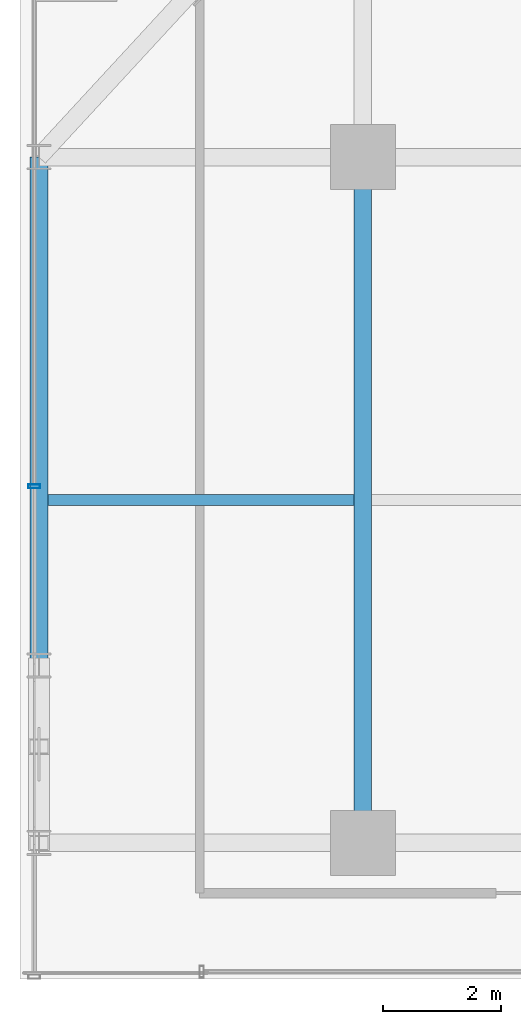
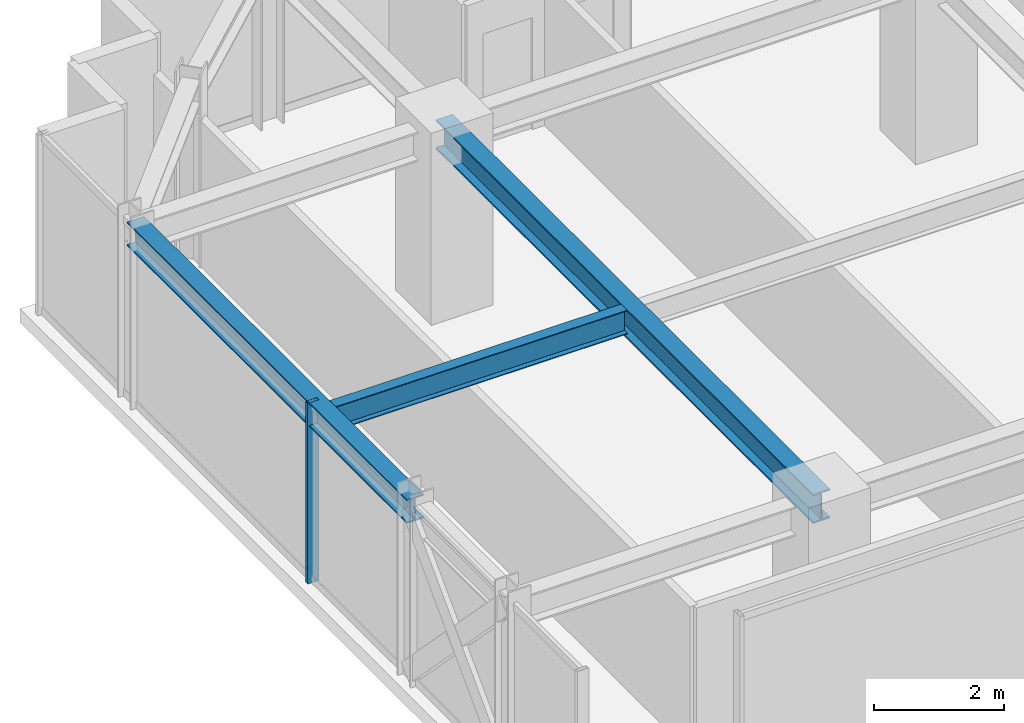
# One storey, part 19 of 38: 3 beams, 1 member, 1 element without a shape of its own.
"""IFC4 building model written with IfcOpenShell, lengths in metres."""

from ifc_helpers import new_model, si_unit, direction, frame, origin, origin_2d, place, context, subcontext, project, spatial, hollow_rectangle, i_section, extrude, source, transform, mapped, material, material_profile, profile_set, type_object, element, aggregate, save


model = new_model("IFC4")

# Units and contexts
model_context = context("Model", 3, precision=1e-05, world=origin(), true_north=direction((0.0, 1.0)))
body_context = subcontext(model_context, "Body", "Model", "MODEL_VIEW")
ifc_project = project(units=[si_unit("LENGTHUNIT", "METRE"), si_unit("AREAUNIT", "SQUARE_METRE"), si_unit("VOLUMEUNIT", "CUBIC_METRE"), si_unit("PLANEANGLEUNIT", "RADIAN"), si_unit("MASSUNIT", "GRAM", prefix="KILO")], contexts=[model_context])

# Site, building, storey
site_placement = place(None, origin())
site = spatial("IfcSite", under=ifc_project, at=site_placement, CompositionType="ELEMENT")
building_placement = place(site_placement, origin())
building = spatial("IfcBuilding", under=site, at=building_placement, Name="Nahalor Promenade Grand Hotel", CompositionType="ELEMENT")
storey_placement = place(building_placement, frame((0.0, 0.0, 163.60009765625)))
storey = spatial("IfcBuildingStorey", under=building, at=storey_placement, Name="L41", CompositionType="ELEMENT", Elevation=163.60009765625)

# Beams
ifc_material_1 = material(Name="Steel S355JR", Category="steel")
ifc_material_profile_1 = material_profile(ifc_material_1, i_section(OverallWidth=0.3, OverallDepth=0.55, WebThickness=0.015, FlangeThickness=0.029, at=origin_2d()), Name="HEB 550")
ifc_profile_set_1 = profile_set([ifc_material_profile_1], Name="Steel S355JR")
beam_type_1 = type_object("IfcBeamType", Name="Beam-Girder-HEB550", PredefinedType="BEAM", material=ifc_profile_set_1)
shared_shape_1 = source(origin(), body_context, "Body", "SweptSolid", [
    extrude(i_section(OverallWidth=0.3, OverallDepth=0.55, WebThickness=0.015, FlangeThickness=0.029, at=origin_2d()), origin(), (0.0, 0.0, 1.0), 11.60009765625),
])
beam_1_placement = place(storey_placement, frame((-17.0, 5.39990234375, 3.114990234375), z_axis=(0.0, 1.0, 0.0), x_axis=(-1.0, 0.0, 0.0)))
element("IfcBeam", 1, at=beam_1_placement, inside=storey, type_object=beam_type_1, Name="BM-L41-GY-0-3", PredefinedType="BEAM", context=body_context, shape_type="MappedRepresentation", body=[
    mapped(shared_shape_1, transform((0.0, 0.0, 0.0), scale=1.0)),
])
ifc_material_profile_2 = material_profile(ifc_material_1, i_section(OverallWidth=0.19, OverallDepth=0.45, WebThickness=0.0094, FlangeThickness=0.0146, at=origin_2d()), Name="IPE 450")
ifc_profile_set_2 = profile_set([ifc_material_profile_2], Name="Steel S355JR")
beam_type_2 = type_object("IfcBeamType", Name="Beam-Joist-IPE450", PredefinedType="JOIST", material=ifc_profile_set_2)
shared_shape_2 = source(origin(), body_context, "Body", "SweptSolid", [
    extrude(i_section(OverallWidth=0.19, OverallDepth=0.45, WebThickness=0.0094, FlangeThickness=0.0146, at=origin_2d()), origin(), (0.0, 0.0, 1.0), 5.18017578125),
])
beam_2_placement = place(storey_placement, frame((-22.330078125, 11.199951171875, 3.164794921875), z_axis=(1.0, 0.0, 0.0), x_axis=(0.0, 1.0, 0.0)))
element("IfcBeam", 2, at=beam_2_placement, inside=storey, type_object=beam_type_2, Name="BM-L41-JSW-1-0", PredefinedType="JOIST", context=body_context, shape_type="MappedRepresentation", body=[
    mapped(shared_shape_2, transform((0.0, 0.0, 0.0), scale=1.0)),
])
ifc_material_profile_3 = material_profile(ifc_material_1, i_section(OverallWidth=0.3, OverallDepth=0.45, WebThickness=0.014, FlangeThickness=0.026, at=origin_2d()), Name="HEB 450")
ifc_profile_set_3 = profile_set([ifc_material_profile_3], Name="Steel S355JR")
beam_type_3 = type_object("IfcBeamType", Name="Beam-Spandrel-HEB450", PredefinedType="SPANDREL", material=ifc_profile_set_3)
shared_shape_3 = source(origin(), body_context, "Body", "SweptSolid", [
    extrude(i_section(OverallWidth=0.3, OverallDepth=0.45, WebThickness=0.014, FlangeThickness=0.026, at=origin_2d()), origin(), (0.0, 0.0, 1.0), 8.60009765625),
])
beam_3_placement = place(storey_placement, frame((-22.47998046875, 8.39990234375, 3.164794921875), z_axis=(0.0, 1.0, 0.0), x_axis=(-1.0, 0.0, 0.0)))
element("IfcBeam", 3, at=beam_3_placement, inside=storey, type_object=beam_type_3, Name="BM-L41-SP-W-4", PredefinedType="SPANDREL", context=body_context, shape_type="MappedRepresentation", body=[
    mapped(shared_shape_3, transform((0.0, 0.0, 0.0), scale=1.0)),
])

# Curtain wall, member
ifc_material_2 = material(Name="Anodised Bronze Aluminium EN AW-6063 T6", Category="aluminium")
curtain_wall_type = type_object("IfcCurtainWallType", Name="CW3 Elliptical-Void Collar Unitised Curtain Wall", PredefinedType="USERDEFINED", material=ifc_material_2)
curtain_wall_placement = place(storey_placement, origin())
curtain_wall = element("IfcCurtainWall", 4, at=curtain_wall_placement, inside=storey, type_object=curtain_wall_type, Name="L41 Curtain Wall CW-L41-W-2", ObjectType="UNITISED_CURTAIN_WALL", PredefinedType="USERDEFINED")
ifc_material_profile_4 = material_profile(ifc_material_2, hollow_rectangle(XDim=0.07, YDim=0.2, WallThickness=0.005, at=origin_2d()), Name="CWM 70x200x5")
ifc_profile_set_4 = profile_set([ifc_material_profile_4], Name="Anodised Bronze Aluminium EN AW-6063 T6")
member_type = type_object("IfcMemberType", Name="CWM3 Void Collar Mullion 70x200", PredefinedType="MULLION", material=ifc_profile_set_4)
shared_shape_4 = source(origin(), body_context, "Body", "SweptSolid", [
    extrude(hollow_rectangle(XDim=0.07, YDim=0.2, WallThickness=0.005, at=origin_2d()), origin(), (0.0, 0.0, 1.0), 3.389892578125),
])
member_placement = place(storey_placement, frame((-22.56005859375, 11.429931640625, 0.0), z_axis=(0.0, 0.0, 1.0), x_axis=(0.0, 1.0, 0.0)))
member = element("IfcMember", 5, at=member_placement, type_object=member_type, Name="CW-L41-W-2 Mullion 1", PredefinedType="MULLION", context=body_context, shape_type="MappedRepresentation", body=[
    mapped(shared_shape_4, transform((0.0, 0.0, 0.0), scale=1.0)),
])
aggregate(curtain_wall, [member])

save(model, "model.ifc")
